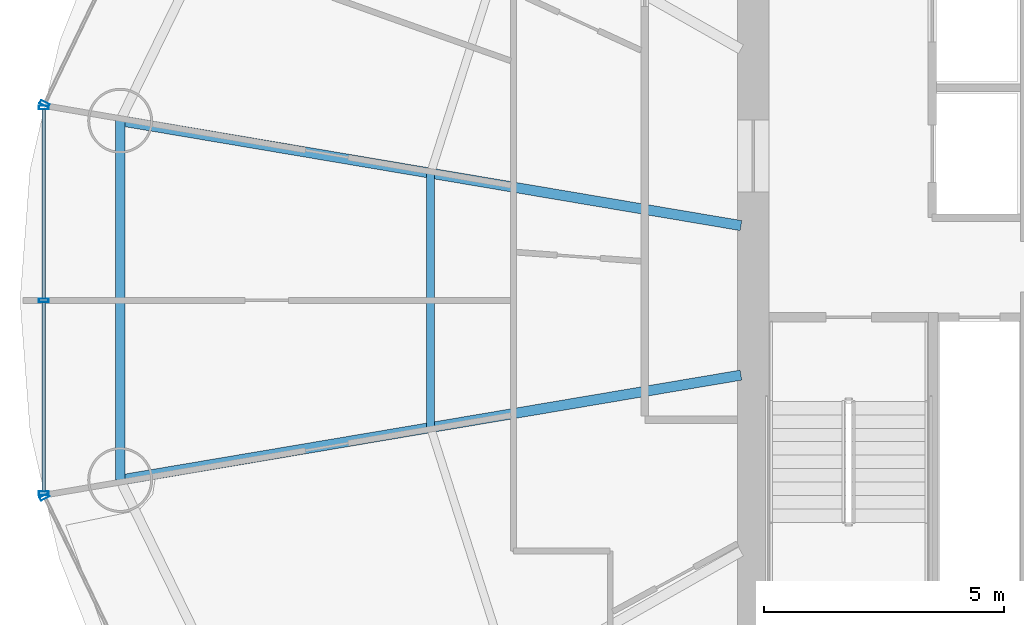
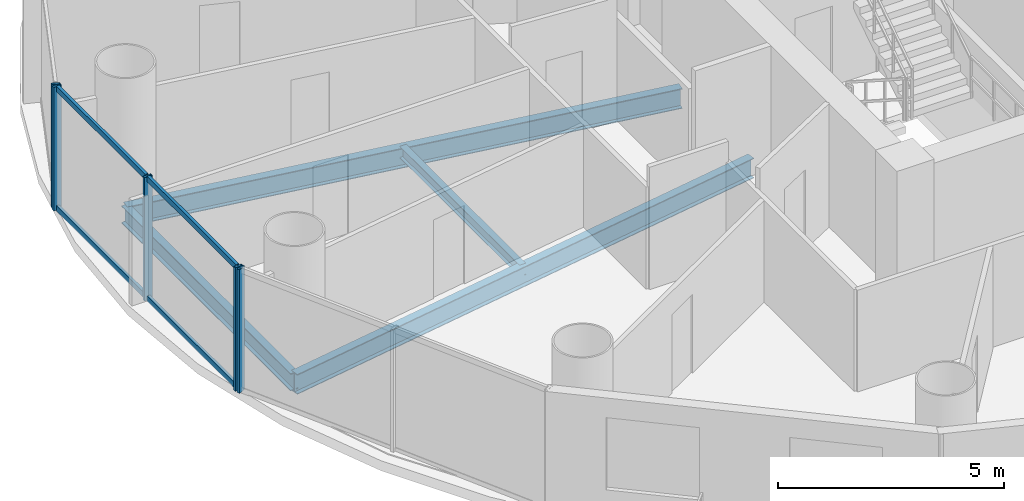
# One storey, part 6 of 26: 9 members, 4 beams, 3 elements without a shape of their own.
"""IFC4 building model written with IfcOpenShell, lengths in metres."""

from ifc_helpers import new_model, si_unit, direction, frame, origin, origin_2d, place, context, subcontext, project, spatial, hollow_rectangle, i_section, extrude, source, transform, mapped, material, material_profile, profile_set, type_object, element, aggregate, save


model = new_model("IFC4")

# Units and contexts
model_context = context("Model", 3, precision=1e-05, world=origin(), true_north=direction((-0.2419218956, 0.970295726276)))
body_context = subcontext(model_context, "Body", "Model", "MODEL_VIEW")
ifc_project = project(units=[si_unit("LENGTHUNIT", "METRE"), si_unit("AREAUNIT", "SQUARE_METRE"), si_unit("VOLUMEUNIT", "CUBIC_METRE"), si_unit("PLANEANGLEUNIT", "RADIAN"), si_unit("MASSUNIT", "GRAM", prefix="KILO")], contexts=[model_context])

# Site, building, storey
site_placement = place(None, origin())
site = spatial("IfcSite", under=ifc_project, at=site_placement, CompositionType="ELEMENT")
building_placement = place(site_placement, origin())
building = spatial("IfcBuilding", under=site, at=building_placement, Name="Cobrevalo Terracotta Tower", CompositionType="ELEMENT")
storey_placement = place(building_placement, frame((0.0, 0.0, 171.39990234375)))
storey = spatial("IfcBuildingStorey", under=building, at=storey_placement, Name="L45", CompositionType="ELEMENT", Elevation=171.39990234375)

# Beams
ifc_material_1 = material(Name="Steel S355", Category="steel")
ifc_material_profile_1 = material_profile(ifc_material_1, i_section(OverallWidth=0.2109375, OverallDepth=0.5390625, WebThickness=0.01171875, FlangeThickness=0.018798828125, at=origin_2d()), Name="W 530x109")
ifc_profile_set_1 = profile_set([ifc_material_profile_1], Name="Steel S355")
beam_type_1 = type_object("IfcBeamType", Name="Structural Beam W 530x109 (Steel S355)", PredefinedType="BEAM", material=ifc_profile_set_1)
for number, where, z_axis, x_axis, name in (
    (1, (15.88330078125, 30.535888671875, -0.539306640625), (0.986032794282, -0.166551279191, 0.0), (0.166551279191, 0.986032794282, 0.0), "L45 radial floor girder 08"),
    (2, (15.88330078125, 23.06396484375, -0.539306640625), (0.986029732232, 0.166569406417, 0.0), (-0.166569406417, 0.986029732232, 0.0), "L45 radial floor girder 09"),
):
    element("IfcBeam", number, at=place(storey_placement, frame(where, z_axis=z_axis, x_axis=x_axis)), inside=storey, type_object=beam_type_1, Name=name, PredefinedType="BEAM", context=body_context, shape_type="SweptSolid", body=[
        extrude(i_section(OverallWidth=0.2109375, OverallDepth=0.5390625, WebThickness=0.01171875, FlangeThickness=0.018798828125, at=origin_2d()), origin(), (0.0, 0.0, 1.0), 13.094482421875),
    ])
ifc_material_profile_2 = material_profile(ifc_material_1, i_section(OverallWidth=0.1650390625, OverallDepth=0.31005859375, WebThickness=0.005859375, FlangeThickness=0.009765625, at=origin_2d()), Name="W 310x38.7")
ifc_profile_set_2 = profile_set([ifc_material_profile_2], Name="Steel S355")
beam_type_2 = type_object("IfcBeamType", Name="Structural Joist W 310x38.7 (Steel S355)", PredefinedType="JOIST", material=ifc_profile_set_2)
beam_1_placement = place(storey_placement, frame((22.339111328125, 29.445556640625, -0.4248046875), z_axis=(0.0, -1.0, 0.0), x_axis=(1.0, 0.0, 0.0)))
element("IfcBeam", 3, at=beam_1_placement, inside=storey, type_object=beam_type_2, Name="L45 circumferential secondary floor joist 08", PredefinedType="JOIST", context=body_context, shape_type="SweptSolid", body=[
    extrude(i_section(OverallWidth=0.1650390625, OverallDepth=0.31005859375, WebThickness=0.005859375, FlangeThickness=0.009765625, at=origin_2d()), origin(), (0.0, 0.0, 1.0), 5.291015625),
])
ifc_material_profile_3 = material_profile(ifc_material_1, i_section(OverallWidth=0.194091796875, OverallDepth=0.468994140625, WebThickness=0.011474609375, FlangeThickness=0.0205078125, at=origin_2d()), Name="W 460x106")
ifc_profile_set_3 = profile_set([ifc_material_profile_3], Name="Steel S355")
beam_type_3 = type_object("IfcBeamType", Name="Structural Spandrel W 460x106 (Steel S355)", PredefinedType="SPANDREL", material=ifc_profile_set_3)
beam_2_placement = place(storey_placement, frame((15.88330078125, 30.535888671875, -0.50439453125), z_axis=(0.0, -1.0, 0.0), x_axis=(1.0, 0.0, 0.0)))
element("IfcBeam", 4, at=beam_2_placement, inside=storey, type_object=beam_type_3, Name="L45 perimeter ring spandrel 08", PredefinedType="SPANDREL", context=body_context, shape_type="SweptSolid", body=[
    extrude(i_section(OverallWidth=0.194091796875, OverallDepth=0.468994140625, WebThickness=0.011474609375, FlangeThickness=0.0205078125, at=origin_2d()), origin(), (0.0, 0.0, 1.0), 7.471923828125),
])

# Curtain wall, member
ifc_material_2 = material(Name="Anodized aluminium", Category="aluminium")
curtain_wall_type = type_object("IfcCurtainWallType", Name="Mid-tower high-wind unitised curtain wall CW-U2", PredefinedType="NOTDEFINED", material=ifc_material_2)
curtain_wall_1_placement = place(storey_placement, origin())
curtain_wall_1 = element("IfcCurtainWall", 5, at=curtain_wall_1_placement, inside=storey, type_object=curtain_wall_type, Name="L45 curtain wall CW-L45-S07", PredefinedType="NOTDEFINED")
ifc_material_profile_4 = material_profile(ifc_material_2, hollow_rectangle(XDim=0.074951171875, YDim=0.199951171875, WallThickness=0.0048828125, at=origin_2d()), Name="CWM 75x200")
ifc_profile_set_4 = profile_set([ifc_material_profile_4], Name="Anodized aluminium")
member_type_1 = type_object("IfcMemberType", Name="Lower/mid tower unitised mullion 75x200", PredefinedType="MULLION", material=ifc_profile_set_4)
shared_shape_1 = source(origin(), body_context, "Body", "SweptSolid", [
    extrude(hollow_rectangle(XDim=0.074951171875, YDim=0.199951171875, WallThickness=0.0048828125, at=origin_2d()), origin(), (0.0, 0.0, 1.0), 3.330078125),
])
member_1_placement = place(storey_placement, frame((14.311767578125, 30.887939453125, 0.0), z_axis=(0.0, 0.0, 1.0), x_axis=(-0.434209440271, -0.900811945957, 0.0)))
member_1 = element("IfcMember", 6, at=member_1_placement, type_object=member_type_1, Name="CW-L45-S07 vertical mullion 03", PredefinedType="MULLION", context=body_context, shape_type="MappedRepresentation", body=[
    mapped(shared_shape_1, transform((0.0, 0.0, 0.0), scale=1.0)),
])
aggregate(curtain_wall_1, [member_1])

# Curtain wall, members
curtain_wall_2_placement = place(storey_placement, origin())
curtain_wall_2 = element("IfcCurtainWall", 7, at=curtain_wall_2_placement, inside=storey, type_object=curtain_wall_type, Name="L45 curtain wall CW-L45-S08", PredefinedType="NOTDEFINED")
member_2_placement = place(storey_placement, frame((14.29443359375, 30.81201171875, 0.0), z_axis=(0.0, 0.0, 1.0), x_axis=(0.0, -1.0, 0.0)))
member_2 = element("IfcMember", 8, at=member_2_placement, type_object=member_type_1, Name="CW-L45-S08 vertical mullion 01", PredefinedType="MULLION", context=body_context, shape_type="MappedRepresentation", body=[
    mapped(shared_shape_1, transform((0.0, 0.0, 0.0), scale=1.0)),
])
member_3_placement = place(storey_placement, frame((14.29443359375, 26.800048828125, 0.0), z_axis=(0.0, 0.0, 1.0), x_axis=(0.0, -1.0, 0.0)))
member_3 = element("IfcMember", 9, at=member_3_placement, type_object=member_type_1, Name="CW-L45-S08 vertical mullion 02", PredefinedType="MULLION", context=body_context, shape_type="MappedRepresentation", body=[
    mapped(shared_shape_1, transform((0.0, 0.0, 0.0), scale=1.0)),
])
member_4_placement = place(storey_placement, frame((14.29443359375, 22.7880859375, 0.0), z_axis=(0.0, 0.0, 1.0), x_axis=(0.0, -1.0, 0.0)))
member_4 = element("IfcMember", 10, at=member_4_placement, type_object=member_type_1, Name="CW-L45-S08 vertical mullion 03", PredefinedType="MULLION", context=body_context, shape_type="MappedRepresentation", body=[
    mapped(shared_shape_1, transform((0.0, 0.0, 0.0), scale=1.0)),
])

# Curtain wall, member
curtain_wall_3_placement = place(storey_placement, origin())
curtain_wall_3 = element("IfcCurtainWall", 11, at=curtain_wall_3_placement, inside=storey, type_object=curtain_wall_type, Name="L45 curtain wall CW-L45-S09", PredefinedType="NOTDEFINED")
member_5_placement = place(storey_placement, frame((14.311767578125, 22.7119140625, 0.0), z_axis=(0.0, 0.0, 1.0), x_axis=(0.434209440271, -0.900811945957, 0.0)))
member_5 = element("IfcMember", 12, at=member_5_placement, type_object=member_type_1, Name="CW-L45-S09 vertical mullion 01", PredefinedType="MULLION", context=body_context, shape_type="MappedRepresentation", body=[
    mapped(shared_shape_1, transform((0.0, 0.0, 0.0), scale=1.0)),
])
aggregate(curtain_wall_3, [member_5])

# Member
ifc_material_profile_5 = material_profile(ifc_material_2, hollow_rectangle(XDim=0.074951171875, YDim=0.14990234375, WallThickness=0.00439453125, at=origin_2d()), Name="CWT 75x150")
ifc_profile_set_5 = profile_set([ifc_material_profile_5], Name="Anodized aluminium")
member_type_2 = type_object("IfcMemberType", Name="Tower unitised aluminium transom 75x150", PredefinedType="USERDEFINED", material=ifc_profile_set_5)
shared_shape_2 = source(origin(), body_context, "Body", "SweptSolid", [
    extrude(hollow_rectangle(XDim=0.074951171875, YDim=0.14990234375, WallThickness=0.00439453125, at=origin_2d()), origin(), (0.0, 0.0, 1.0), 3.931884765625),
])
member_6_placement = place(storey_placement, frame((14.29443359375, 30.77197265625, 0.050048828125), z_axis=(0.0, -1.0, 0.0), x_axis=(1.0, 0.0, 0.0)))
member_6 = element("IfcMember", 13, at=member_6_placement, type_object=member_type_2, Name="CW-L45-S08 transom B01-T1", ObjectType="TRANSOM", PredefinedType="USERDEFINED", context=body_context, shape_type="MappedRepresentation", body=[
    mapped(shared_shape_2, transform((0.0, 0.0, 0.0), scale=1.0)),
])

member_7_placement = place(storey_placement, frame((14.29443359375, 30.77197265625, 3.280029296875), z_axis=(0.0, -1.0, 0.0), x_axis=(1.0, 0.0, 0.0)))
member_7 = element("IfcMember", 14, at=member_7_placement, type_object=member_type_2, Name="CW-L45-S08 transom B01-T2", ObjectType="TRANSOM", PredefinedType="USERDEFINED", context=body_context, shape_type="MappedRepresentation", body=[
    mapped(shared_shape_2, transform((0.0, 0.0, 0.0), scale=1.0)),
])

shared_shape_3 = source(origin(), body_context, "Body", "SweptSolid", [
    extrude(hollow_rectangle(XDim=0.074951171875, YDim=0.14990234375, WallThickness=0.00439453125, at=origin_2d()), origin(), (0.0, 0.0, 1.0), 3.93212890625),
])
member_8_placement = place(storey_placement, frame((14.29443359375, 26.760009765625, 0.050048828125), z_axis=(0.0, -1.0, 0.0), x_axis=(1.0, 0.0, 0.0)))
member_8 = element("IfcMember", 15, at=member_8_placement, type_object=member_type_2, Name="CW-L45-S08 transom B02-T1", ObjectType="TRANSOM", PredefinedType="USERDEFINED", context=body_context, shape_type="MappedRepresentation", body=[
    mapped(shared_shape_3, transform((0.0, 0.0, 0.0), scale=1.0)),
])

member_9_placement = place(storey_placement, frame((14.29443359375, 26.760009765625, 3.280029296875), z_axis=(0.0, -1.0, 0.0), x_axis=(1.0, 0.0, 0.0)))
member_9 = element("IfcMember", 16, at=member_9_placement, type_object=member_type_2, Name="CW-L45-S08 transom B02-T2", ObjectType="TRANSOM", PredefinedType="USERDEFINED", context=body_context, shape_type="MappedRepresentation", body=[
    mapped(shared_shape_3, transform((0.0, 0.0, 0.0), scale=1.0)),
])

aggregate(curtain_wall_2, [member_2, member_3, member_4, member_6, member_7, member_8, member_9])

save(model, "model.ifc")
